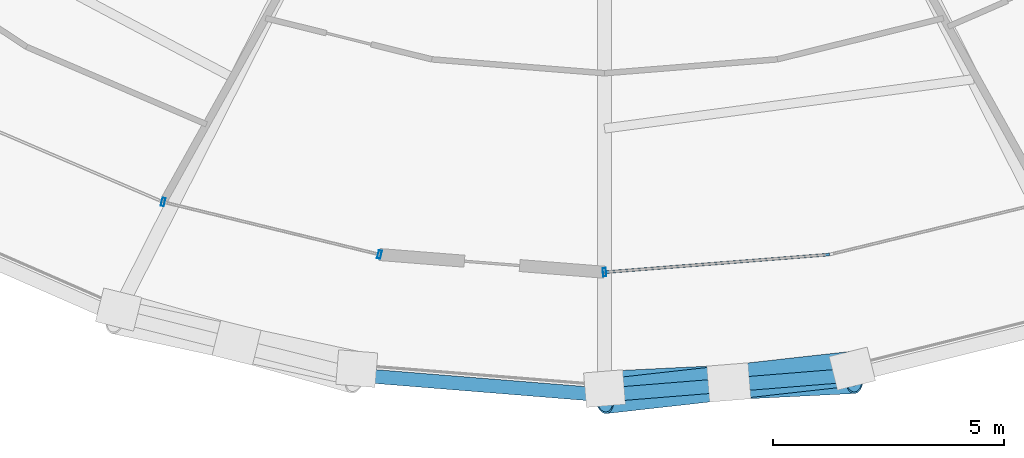
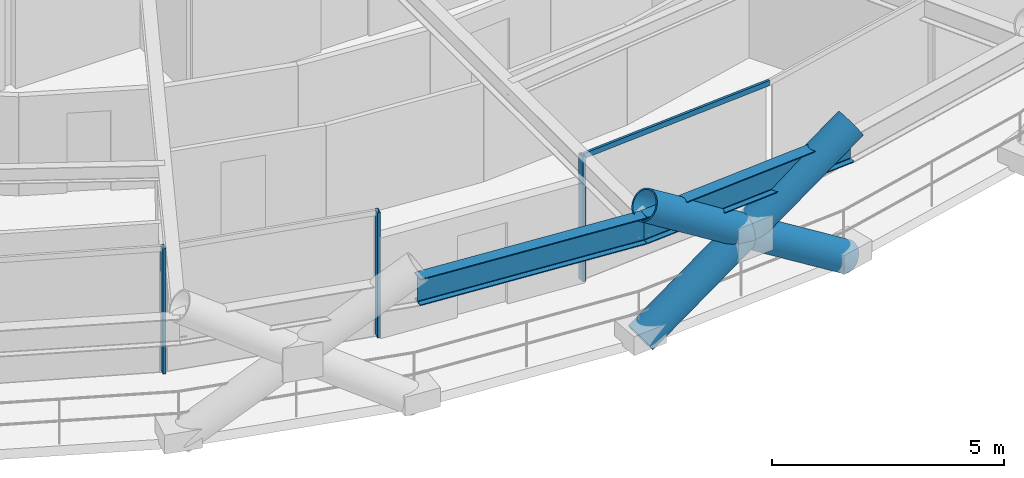
# One storey, part 4 of 17: 7 members, 2 beams, 2 elements without a shape of their own.
"""IFC4 building model written with IfcOpenShell, lengths in metres."""

from ifc_helpers import new_model, si_unit, direction, frame, origin, origin_2d, place, context, subcontext, project, spatial, hollow_rectangle, hollow_circle, i_section, extrude, material, layer, layer_set, material_profile, profile_set, type_object, element, aggregate, save


model = new_model("IFC4")

# Units and contexts
model_context = context("Model", 3, precision=1e-05, world=origin(), true_north=direction((0.0, 1.0)))
body_context = subcontext(model_context, "Body", "Model", "MODEL_VIEW")
ifc_project = project(units=[si_unit("LENGTHUNIT", "METRE"), si_unit("AREAUNIT", "SQUARE_METRE"), si_unit("VOLUMEUNIT", "CUBIC_METRE"), si_unit("PLANEANGLEUNIT", "RADIAN"), si_unit("MASSUNIT", "GRAM", prefix="KILO")], contexts=[model_context])

# Site, building, storey
site_placement = place(None, origin())
site = spatial("IfcSite", under=ifc_project, at=site_placement, CompositionType="ELEMENT")
building_placement = place(site_placement, origin())
building = spatial("IfcBuilding", under=site, at=building_placement, Name="Veldorina Hangang Commons", CompositionType="ELEMENT")
storey_placement = place(building_placement, frame((0.0, 0.0, 30.39990234375)))
storey = spatial("IfcBuildingStorey", under=building, at=storey_placement, Name="L06", CompositionType="ELEMENT", Elevation=30.39990234375)

# Beams
ifc_material_1 = material(Name="Steel SM460-TMC", Category="steel")
ifc_material_profile_1 = material_profile(ifc_material_1, i_section(OverallWidth=0.300048828125, OverallDepth=0.699951171875, WebThickness=0.012939453125, FlangeThickness=0.02392578125, FilletRadius=0.02197265625, at=origin_2d()), Name="H-700x300x13x24")
ifc_profile_set_1 = profile_set([ifc_material_profile_1], Name="Steel SM460-TMC")
beam_type = type_object("IfcBeamType", Name="BM-RB700", PredefinedType="BEAM", material=ifc_profile_set_1)
for number, where, z_axis, x_axis, name in (
    (1, (26.60791015625, 1.795654296875, 2.989990234375), (0.996760804766, -0.080423243416, 0.0), (0.080423243416, 0.996760804766, 0.0), "L06 perimeter hoop ring beam 23"),
    (2, (32.0, 1.360595703125, 2.989990234375), (0.996760804766, 0.080423243416, 0.0), (-0.080423243416, 0.996760804766, 0.0), "L06 perimeter hoop ring beam 24"),
):
    element("IfcBeam", number, at=place(storey_placement, frame(where, z_axis=z_axis, x_axis=x_axis)), inside=storey, type_object=beam_type, Name=name, PredefinedType="BEAM", context=body_context, shape_type="SweptSolid", body=[
        extrude(i_section(OverallWidth=0.300048828125, OverallDepth=0.699951171875, WebThickness=0.012939453125, FlangeThickness=0.02392578125, FilletRadius=0.02197265625, at=origin_2d()), origin(), (0.0, 0.0, 1.0), 5.40966796875),
    ])

# Curtain wall, members
ifc_material_2 = material(Name="Glass Low-E Triple IGU", Category="glass")
ifc_layer = layer(ifc_material_2, 0.179931640625)
ifc_layer_set = layer_set([ifc_layer], Name="Glass Low-E Triple IGU")
curtain_wall_type = type_object("IfcCurtainWallType", Name="CW-SYS-Z1", PredefinedType="NOTDEFINED", material=ifc_layer_set)
curtain_wall_1_placement = place(storey_placement, origin())
curtain_wall_1 = element("IfcCurtainWall", 3, at=curtain_wall_1_placement, inside=storey, type_object=curtain_wall_type, Name="L06 unitised curtain wall CW-L06-R1", PredefinedType="NOTDEFINED")
ifc_material_3 = material(Name="Aluminium Anodized AA6063-T6", Category="aluminium")
ifc_material_profile_2 = material_profile(ifc_material_3, hollow_rectangle(XDim=0.070068359375, YDim=0.179931640625, WallThickness=0.00390625, at=origin_2d()), Name="ALU-RHS-180x70x4")
ifc_profile_set_2 = profile_set([ifc_material_profile_2], Name="Aluminium Anodized AA6063-T6")
member_type_1 = type_object("IfcMemberType", Name="CW-MUL-180", PredefinedType="MULLION", material=ifc_profile_set_2)
member_1_placement = place(storey_placement, frame((22.440673828125, 5.541015625, 0.0), z_axis=(0.0, 0.0, 1.0), x_axis=(0.971800719266, -0.235803651445, 0.0)))
member_1 = element("IfcMember", 4, at=member_1_placement, type_object=member_type_1, Name="CW-L06-R1 vertical mullion 4", PredefinedType="MULLION", context=body_context, shape_type="SweptSolid", body=[
    extrude(hollow_rectangle(XDim=0.070068359375, YDim=0.179931640625, WallThickness=0.00390625, at=origin_2d()), origin(), (0.0, 0.0, 1.0), 3.300048828125),
])
member_2_placement = place(storey_placement, frame((27.126708984375, 4.40380859375, 0.0), z_axis=(0.0, 0.0, 1.0), x_axis=(-0.971800719266, 0.235803651445, 0.0)))
member_2 = element("IfcMember", 5, at=member_2_placement, type_object=member_type_1, Name="CW-L06-R1 vertical mullion 5", PredefinedType="MULLION", context=body_context, shape_type="SweptSolid", body=[
    extrude(hollow_rectangle(XDim=0.070068359375, YDim=0.179931640625, WallThickness=0.00390625, at=origin_2d()), origin(), (0.0, 0.0, 1.0), 3.300048828125),
])
aggregate(curtain_wall_1, [member_1, member_2])

curtain_wall_2_placement = place(storey_placement, origin())
curtain_wall_2 = element("IfcCurtainWall", 6, at=curtain_wall_2_placement, inside=storey, type_object=curtain_wall_type, Name="L06 unitised curtain wall CW-L06-R2", PredefinedType="NOTDEFINED")
member_3_placement = place(storey_placement, frame((32.0, 4.02001953125, 0.0), z_axis=(0.0, 0.0, 1.0), x_axis=(0.996911853826, 0.078528693496, 0.0)))
member_3 = element("IfcMember", 7, at=member_3_placement, type_object=member_type_1, Name="CW-L06-R2 vertical mullion 1", PredefinedType="MULLION", context=body_context, shape_type="SweptSolid", body=[
    extrude(hollow_rectangle(XDim=0.070068359375, YDim=0.179931640625, WallThickness=0.00390625, at=origin_2d()), origin(), (0.0, 0.0, 1.0), 3.300048828125),
])
ifc_material_profile_3 = material_profile(ifc_material_3, hollow_rectangle(XDim=0.06005859375, YDim=0.139892578125, WallThickness=0.00341796875, at=origin_2d()), Name="ALU-RHS-140x60x3.5")
ifc_profile_set_3 = profile_set([ifc_material_profile_3], Name="Aluminium Anodized AA6063-T6")
member_type_2 = type_object("IfcMemberType", Name="CW-TRN-140", PredefinedType="USERDEFINED", material=ifc_profile_set_3)
member_4_placement = place(storey_placement, frame((32.0, 4.02001953125, 3.260009765625), z_axis=(0.996913288378, 0.078510479902, 0.0), x_axis=(-0.078510479902, 0.996913288378, 0.0)))
member_4 = element("IfcMember", 8, at=member_4_placement, type_object=member_type_2, Name="CW-L06-R2 facet 1 transom 1", ObjectType="TRANSOM", PredefinedType="USERDEFINED", context=body_context, shape_type="SweptSolid", body=[
    extrude(hollow_rectangle(XDim=0.06005859375, YDim=0.139892578125, WallThickness=0.00341796875, at=origin_2d()), origin(), (0.0, 0.0, 1.0), 4.888427734375),
])
aggregate(curtain_wall_2, [member_3, member_4])

# Members
ifc_material_profile_4 = material_profile(ifc_material_1, hollow_circle(Radius=0.375, WallThickness=0.035888671875, at=origin_2d()), Name="CHS-750x36")
ifc_profile_set_4 = profile_set([ifc_material_profile_4], Name="Steel SM460-TMC")
member_type_3 = type_object("IfcMemberType", Name="DG-CHS750", PredefinedType="BRACE", material=ifc_profile_set_4)
member_5_placement = place(storey_placement, frame((32.0, 1.5, 0.0), z_axis=(0.831227906586, 0.04120610546, 0.554402583134), x_axis=(-0.049511773481, 0.998773540041, 0.0)))
element("IfcMember", 9, at=member_5_placement, inside=storey, type_object=member_type_3, Name="L06 continuous perimeter diagrid brace 24", PredefinedType="BRACE", context=body_context, shape_type="SweptSolid", body=[
    extrude(hollow_circle(Radius=0.375, WallThickness=0.035888671875, at=origin_2d()), origin(), (0.0, 0.0, 1.0), 6.49365234375),
])
member_6_placement = place(storey_placement, frame((37.364990234375, 1.932373046875, 0.0), z_axis=(-0.826798359285, -0.092461930813, 0.554847064004), x_axis=(0.111138491626, -0.993804928383, 0.0)))
element("IfcMember", 10, at=member_6_placement, inside=storey, type_object=member_type_3, Name="L06 split perimeter diagrid lower brace 25", PredefinedType="BRACE", context=body_context, shape_type="SweptSolid", body=[
    extrude(hollow_circle(Radius=0.375, WallThickness=0.035888671875, at=origin_2d()), origin(), (0.0, 0.0, 1.0), 3.234619140625),
])
member_7_placement = place(storey_placement, frame((34.690673828125, 1.63330078125, 1.794677734375), z_axis=(-0.826822826123, -0.09257774861, 0.554791289282), x_axis=(0.111272728933, -0.993789907272, 0.0)))
element("IfcMember", 11, at=member_7_placement, inside=storey, type_object=member_type_3, Name="L06 split perimeter diagrid upper brace 25", PredefinedType="BRACE", context=body_context, shape_type="SweptSolid", body=[
    extrude(hollow_circle(Radius=0.375, WallThickness=0.035888671875, at=origin_2d()), origin(), (0.0, 0.0, 1.0), 3.254150390625),
])

save(model, "model.ifc")
